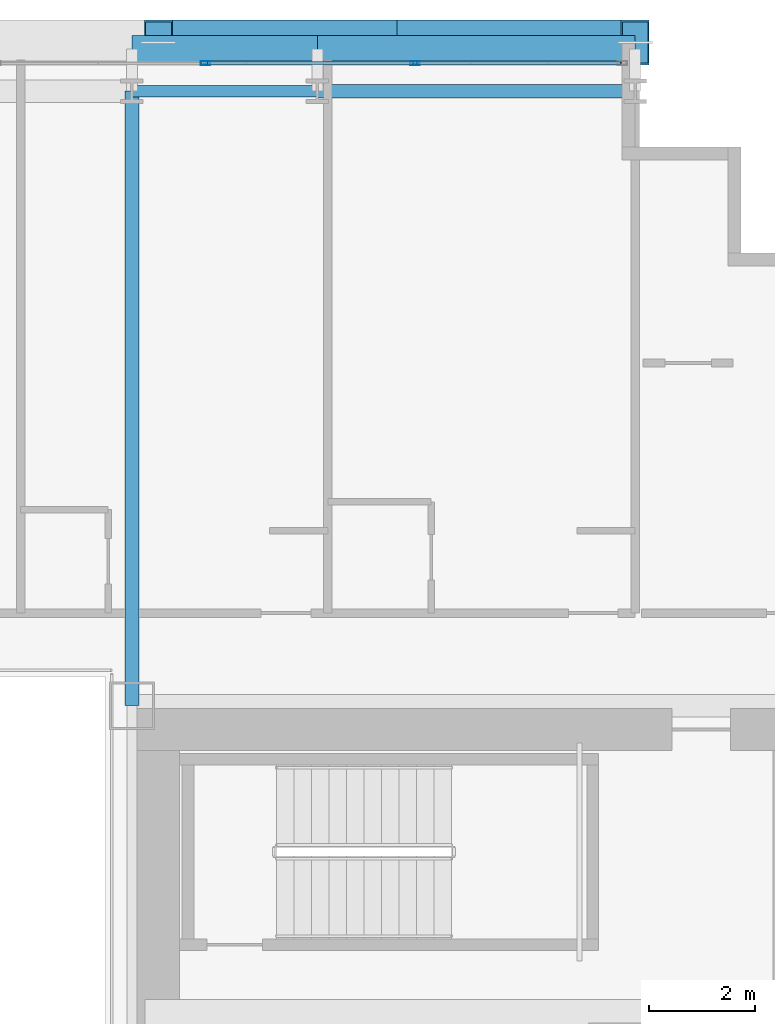
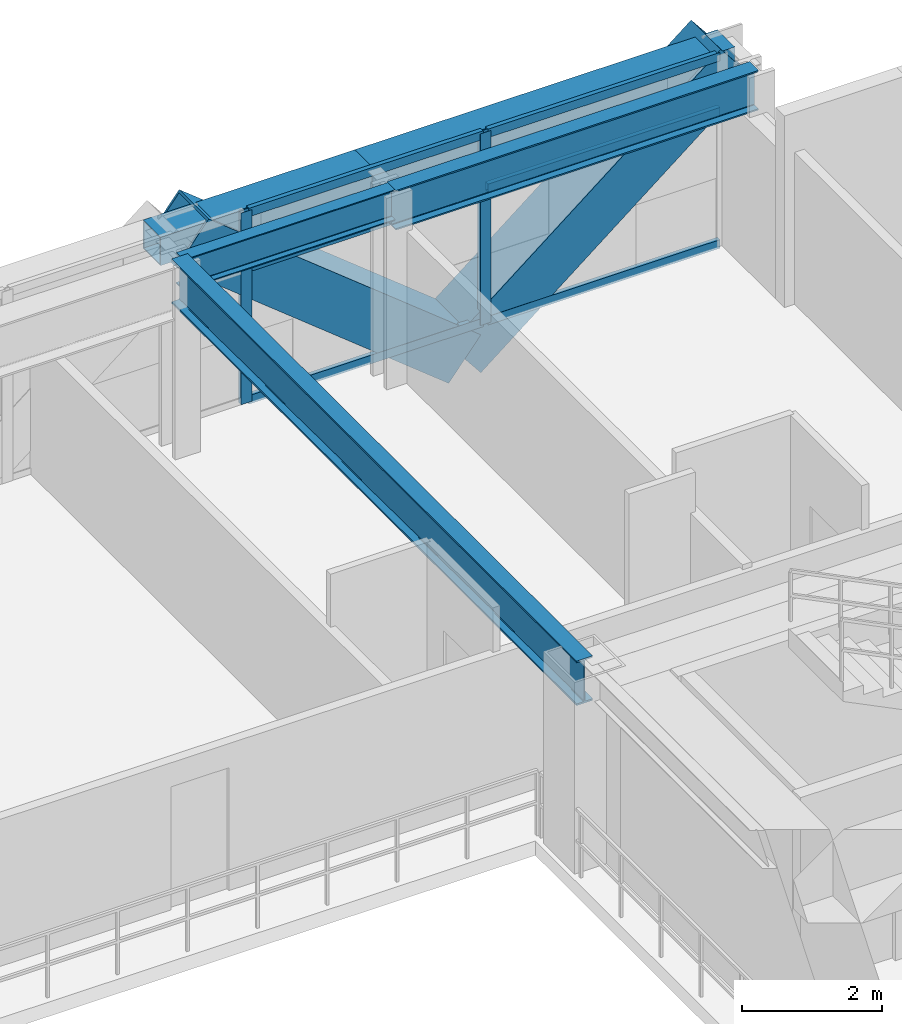
# One storey, part 21 of 38: 10 members, 5 beams, 1 element without a shape of its own.
"""IFC4 building model written with IfcOpenShell, lengths in metres."""

from ifc_helpers import new_model, si_unit, direction, frame, origin, origin_2d, place, context, subcontext, project, spatial, hollow_rectangle, i_section, extrude, source, transform, mapped, material, layer, layer_set, material_profile, profile_set, type_object, element, aggregate, save


model = new_model("IFC4")

# Units and contexts
model_context = context("Model", 3, precision=1e-05, world=origin(), true_north=direction((0.0, 1.0)))
body_context = subcontext(model_context, "Body", "Model", "MODEL_VIEW")
ifc_project = project(units=[si_unit("LENGTHUNIT", "METRE"), si_unit("AREAUNIT", "SQUARE_METRE"), si_unit("VOLUMEUNIT", "CUBIC_METRE"), si_unit("PLANEANGLEUNIT", "RADIAN"), si_unit("MASSUNIT", "GRAM", prefix="KILO")], contexts=[model_context])

# Site, building, storey
site_placement = place(None, origin())
site = spatial("IfcSite", under=ifc_project, at=site_placement, CompositionType="ELEMENT")
building_placement = place(site_placement, origin())
building = spatial("IfcBuilding", under=site, at=building_placement, Name="Ocotamira Hotel", CompositionType="ELEMENT")
storey_placement = place(building_placement, frame((0.0, 0.0, 45.60009765625)))
storey = spatial("IfcBuildingStorey", under=building, at=storey_placement, Name="L10", CompositionType="ELEMENT", Elevation=45.60009765625)

# Beams
ifc_material_1 = material(Name="Steel ASTM A992 Grade 50", Category="steel")
ifc_material_profile_1 = material_profile(ifc_material_1, i_section(OverallWidth=0.256103515625, OverallDepth=0.693115234375, WebThickness=0.014404296875, FlangeThickness=0.023681640625, FilletRadius=0.01611328125, at=origin_2d()), Name="W27X114")
ifc_profile_set_1 = profile_set([ifc_material_profile_1], Name="Steel ASTM A992 Grade 50")
beam_type_1 = type_object("IfcBeamType", Name="BM-PRIM-W27X114", PredefinedType="BEAM", material=ifc_profile_set_1)
shared_shape_1 = source(origin(), body_context, "Body", "SweptSolid", [
    extrude(i_section(OverallWidth=0.256103515625, OverallDepth=0.693115234375, WebThickness=0.014404296875, FlangeThickness=0.023681640625, FilletRadius=0.01611328125, at=origin_2d()), origin(), (0.0, 0.0, 1.0), 6.0),
])
beam_1_placement = place(storey_placement, frame((44.0, 49.050048828125, 3.00341796875), z_axis=(1.0, 0.0, 0.0), x_axis=(0.0, 1.0, 0.0)))
element("IfcBeam", 1, at=beam_1_placement, inside=storey, type_object=beam_type_1, Name="L10 Girder Y49.05 X44-50", PredefinedType="BEAM", context=body_context, shape_type="MappedRepresentation", body=[
    mapped(shared_shape_1, transform((0.0, 0.0, 0.0), scale=1.0)),
])
ifc_material_profile_2 = material_profile(ifc_material_1, i_section(OverallWidth=0.2099609375, OverallDepth=0.537109375, WebThickness=0.010986328125, FlangeThickness=0.017333984375, FilletRadius=0.012939453125, at=origin_2d()), Name="W21X68")
ifc_profile_set_2 = profile_set([ifc_material_profile_2], Name="Steel ASTM A992 Grade 50")
beam_type_2 = type_object("IfcBeamType", Name="BM-SEC-W21X68", PredefinedType="JOIST", material=ifc_profile_set_2)
shared_shape_2 = source(origin(), body_context, "Body", "SweptSolid", [
    extrude(i_section(OverallWidth=0.2099609375, OverallDepth=0.537109375, WebThickness=0.010986328125, FlangeThickness=0.017333984375, FilletRadius=0.012939453125, at=origin_2d()), origin(), (0.0, 0.0, 1.0), 3.5),
])
beam_2_placement = place(storey_placement, frame((40.5, 49.050048828125, 3.081298828125), z_axis=(1.0, 0.0, 0.0), x_axis=(0.0, 1.0, 0.0)))
element("IfcBeam", 2, at=beam_2_placement, inside=storey, type_object=beam_type_2, Name="L10 Girder Y49.05 X40.5-44", PredefinedType="JOIST", context=body_context, shape_type="MappedRepresentation", body=[
    mapped(shared_shape_2, transform((0.0, 0.0, 0.0), scale=1.0)),
])
ifc_material_profile_3 = material_profile(ifc_material_1, i_section(OverallWidth=0.26611328125, OverallDepth=0.779052734375, WebThickness=0.0166015625, FlangeThickness=0.030029296875, FilletRadius=0.01806640625, at=origin_2d()), Name="W30X148")
ifc_profile_set_3 = profile_set([ifc_material_profile_3], Name="Steel ASTM A992 Grade 50")
beam_type_3 = type_object("IfcBeamType", Name="BM-GIRD-W30X148", PredefinedType="BEAM", material=ifc_profile_set_3)
shared_shape_3 = source(origin(), body_context, "Body", "SweptSolid", [
    extrude(i_section(OverallWidth=0.26611328125, OverallDepth=0.779052734375, WebThickness=0.0166015625, FlangeThickness=0.030029296875, FilletRadius=0.01806640625, at=origin_2d()), origin(), (0.0, 0.0, 1.0), 11.60009765625),
])
beam_3_placement = place(storey_placement, frame((40.5, 37.449951171875, 2.96044921875), z_axis=(0.0, 1.0, 0.0), x_axis=(-1.0, 0.0, 0.0)))
element("IfcBeam", 3, at=beam_3_placement, inside=storey, type_object=beam_type_3, Name="L10 Beam X40.5 Y37.45-49.05", PredefinedType="BEAM", context=body_context, shape_type="MappedRepresentation", body=[
    mapped(shared_shape_3, transform((0.0, 0.0, 0.0), scale=1.0)),
])
ifc_material_2 = material(Name="Steel ASTM A500 Grade C", Category="steel")
ifc_material_profile_4 = material_profile(ifc_material_2, hollow_rectangle(XDim=0.5, YDim=0.5, WallThickness=0.02001953125, at=origin_2d()), Name="HSS500X500X20")
ifc_profile_set_4 = profile_set([ifc_material_profile_4], Name="Steel ASTM A500 Grade C")
beam_type_4 = type_object("IfcBeamType", Name="BM-SPAN-HSS500", PredefinedType="USERDEFINED", material=ifc_profile_set_4)
shared_shape_4 = source(origin(), body_context, "Body", "SweptSolid", [
    extrude(hollow_rectangle(XDim=0.5, YDim=0.5, WallThickness=0.02001953125, at=origin_2d()), origin(), (0.0, 0.0, 1.0), 6.0),
])
beam_4_placement = place(storey_placement, frame((44.0, 49.85009765625, 3.099853515625), z_axis=(1.0, 0.0, 0.0), x_axis=(0.0, 1.0, 0.0)))
element("IfcBeam", 4, at=beam_4_placement, inside=storey, type_object=beam_type_4, Name="L10 Edge Spandrel N X44-50", ObjectType="SPANDREL", PredefinedType="USERDEFINED", context=body_context, shape_type="MappedRepresentation", body=[
    mapped(shared_shape_4, transform((0.0, 0.0, 0.0), scale=1.0)),
])
shared_shape_5 = source(origin(), body_context, "Body", "SweptSolid", [
    extrude(hollow_rectangle(XDim=0.5, YDim=0.5, WallThickness=0.02001953125, at=origin_2d()), origin(), (0.0, 0.0, 1.0), 3.5),
])
beam_5_placement = place(storey_placement, frame((40.5, 49.85009765625, 3.099853515625), z_axis=(1.0, 0.0, 0.0), x_axis=(0.0, 1.0, 0.0)))
element("IfcBeam", 5, at=beam_5_placement, inside=storey, type_object=beam_type_4, Name="L10 Edge Spandrel N X40.5-44", ObjectType="SPANDREL", PredefinedType="USERDEFINED", context=body_context, shape_type="MappedRepresentation", body=[
    mapped(shared_shape_5, transform((0.0, 0.0, 0.0), scale=1.0)),
])

# Members
ifc_material_3 = material(Name="Pale-metal coated steel ASTM A913 Grade 65", Category="steel")
ifc_material_profile_5 = material_profile(ifc_material_3, hollow_rectangle(XDim=0.85009765625, YDim=0.85009765625, WallThickness=0.035888671875, at=origin_2d()), Name="BOX850X850X36")
ifc_profile_set_5 = profile_set([ifc_material_profile_5], Name="Pale-metal coated steel ASTM A913 Grade 65")
member_type_1 = type_object("IfcMemberType", Name="MEM-EXO-BOX850", PredefinedType="BRACE", material=ifc_profile_set_5)
shared_shape_6 = source(origin(), body_context, "Body", "SweptSolid", [
    extrude(hollow_rectangle(XDim=0.85009765625, YDim=0.85009765625, WallThickness=0.035888671875, at=origin_2d()), origin(), (0.0, 0.0, 1.0), 5.7626953125),
])
for number, where, z_axis, x_axis, name in (
    (6, (45.5, 49.969970703125, -0.5), (-0.780881208953, 0.0, 0.624679547852), (0.0, -1.0, 0.0), "L10 Exoskeleton Diagrid N3.1"),
    (7, (45.5, 49.969970703125, -0.5), (0.780881208953, 0.0, 0.624679547852), (0.0, 1.0, 0.0), "L10 Exoskeleton Diagrid N3.2"),
):
    element("IfcMember", number, at=place(storey_placement, frame(where, z_axis=z_axis, x_axis=x_axis)), inside=storey, type_object=member_type_1, Name=name, PredefinedType="BRACE", context=body_context, shape_type="MappedRepresentation", body=[
        mapped(shared_shape_6, transform((0.0, 0.0, 0.0), scale=1.0)),
    ])

# Curtain wall, members
ifc_material_4 = material(Name="Anodised pale-metal aluminium and solar glass", Category="aluminium")
ifc_layer = layer(ifc_material_4, 0.179931640625)
ifc_layer_set = layer_set([ifc_layer], Name="Anodised pale-metal aluminium and solar glass")
curtain_wall_type = type_object("IfcCurtainWallType", Name="CW-SYS2-Z1", PredefinedType="NOTDEFINED", material=ifc_layer_set)
curtain_wall_placement = place(storey_placement, origin())
curtain_wall = element("IfcCurtainWall", 8, at=curtain_wall_placement, inside=storey, type_object=curtain_wall_type, Name="L10 Curtain Wall CW-2 CW-L10-N", PredefinedType="NOTDEFINED")
ifc_material_5 = material(Name="Anodised pale-metal aluminium 6063-T6", Category="aluminium")
ifc_material_profile_6 = material_profile(ifc_material_5, hollow_rectangle(XDim=0.080078125, YDim=0.179931640625, WallThickness=0.006103515625, at=origin_2d()), Name="HSS180X80X6")
ifc_profile_set_6 = profile_set([ifc_material_profile_6], Name="Anodised pale-metal aluminium 6063-T6")
member_type_2 = type_object("IfcMemberType", Name="CWM-180X75", PredefinedType="MULLION", material=ifc_profile_set_6)
shared_shape_7 = source(origin(), body_context, "Body", "SweptSolid", [
    extrude(hollow_rectangle(XDim=0.080078125, YDim=0.179931640625, WallThickness=0.006103515625, at=origin_2d()), origin(), (0.0, 0.0, 1.0), 3.349853515625),
])
member_1_placement = place(storey_placement, frame((41.888916015625, 49.580078125, 0.0), z_axis=(0.0, 0.0, 1.0), x_axis=(0.0, 1.0, 0.0)))
member_1 = element("IfcMember", 9, at=member_1_placement, type_object=member_type_2, Name="CW-2 mullion 8", PredefinedType="MULLION", context=body_context, shape_type="MappedRepresentation", body=[
    mapped(shared_shape_7, transform((0.0, 0.0, 0.0), scale=1.0)),
])
member_2_placement = place(storey_placement, frame((45.844482421875, 49.580078125, 0.0), z_axis=(0.0, 0.0, 1.0), x_axis=(0.0, 1.0, 0.0)))
member_2 = element("IfcMember", 10, at=member_2_placement, type_object=member_type_2, Name="CW-2 mullion 9", PredefinedType="MULLION", context=body_context, shape_type="MappedRepresentation", body=[
    mapped(shared_shape_7, transform((0.0, 0.0, 0.0), scale=1.0)),
])
ifc_material_profile_7 = material_profile(ifc_material_5, hollow_rectangle(XDim=0.074951171875, YDim=0.14990234375, WallThickness=0.006103515625, at=origin_2d()), Name="HSS150X75X6")
ifc_profile_set_7 = profile_set([ifc_material_profile_7], Name="Anodised pale-metal aluminium 6063-T6")
member_type_3 = type_object("IfcMemberType", Name="CWT-150X75", PredefinedType="USERDEFINED", material=ifc_profile_set_7)
shared_shape_8 = source(origin(), body_context, "Body", "SweptSolid", [
    extrude(hollow_rectangle(XDim=0.074951171875, YDim=0.14990234375, WallThickness=0.006103515625, at=origin_2d()), origin(), (0.0, 0.0, 1.0), 3.83544921875),
])
member_3_placement = place(storey_placement, frame((45.884521484375, 49.580078125, 0.037353515625), z_axis=(1.0, 0.0, 0.0), x_axis=(0.0, 1.0, 0.0)))
member_3 = element("IfcMember", 11, at=member_3_placement, type_object=member_type_3, Name="CW-2 transom 9.1", ObjectType="TRANSOM", PredefinedType="USERDEFINED", context=body_context, shape_type="MappedRepresentation", body=[
    mapped(shared_shape_8, transform((0.0, 0.0, 0.0), scale=1.0)),
])
member_4_placement = place(storey_placement, frame((45.884521484375, 49.580078125, 2.349853515625), z_axis=(1.0, 0.0, 0.0), x_axis=(0.0, 1.0, 0.0)))
member_4 = element("IfcMember", 12, at=member_4_placement, type_object=member_type_3, Name="CW-2 transom 9.2", ObjectType="TRANSOM", PredefinedType="USERDEFINED", context=body_context, shape_type="MappedRepresentation", body=[
    mapped(shared_shape_8, transform((0.0, 0.0, 0.0), scale=1.0)),
])
member_5_placement = place(storey_placement, frame((45.884521484375, 49.580078125, 3.3125), z_axis=(1.0, 0.0, 0.0), x_axis=(0.0, 1.0, 0.0)))
member_5 = element("IfcMember", 13, at=member_5_placement, type_object=member_type_3, Name="CW-2 transom 9.3", ObjectType="TRANSOM", PredefinedType="USERDEFINED", context=body_context, shape_type="MappedRepresentation", body=[
    mapped(shared_shape_8, transform((0.0, 0.0, 0.0), scale=1.0)),
])
shared_shape_9 = source(origin(), body_context, "Body", "SweptSolid", [
    extrude(hollow_rectangle(XDim=0.074951171875, YDim=0.14990234375, WallThickness=0.006103515625, at=origin_2d()), origin(), (0.0, 0.0, 1.0), 3.87548828125),
])
member_6_placement = place(storey_placement, frame((41.928955078125, 49.580078125, 0.037353515625), z_axis=(1.0, 0.0, 0.0), x_axis=(0.0, 1.0, 0.0)))
member_6 = element("IfcMember", 14, at=member_6_placement, type_object=member_type_3, Name="CW-2 transom 8.1", ObjectType="TRANSOM", PredefinedType="USERDEFINED", context=body_context, shape_type="MappedRepresentation", body=[
    mapped(shared_shape_9, transform((0.0, 0.0, 0.0), scale=1.0)),
])
member_7_placement = place(storey_placement, frame((41.928955078125, 49.580078125, 2.349853515625), z_axis=(1.0, 0.0, 0.0), x_axis=(0.0, 1.0, 0.0)))
member_7 = element("IfcMember", 15, at=member_7_placement, type_object=member_type_3, Name="CW-2 transom 8.2", ObjectType="TRANSOM", PredefinedType="USERDEFINED", context=body_context, shape_type="MappedRepresentation", body=[
    mapped(shared_shape_9, transform((0.0, 0.0, 0.0), scale=1.0)),
])
member_8_placement = place(storey_placement, frame((41.928955078125, 49.580078125, 3.3125), z_axis=(1.0, 0.0, 0.0), x_axis=(0.0, 1.0, 0.0)))
member_8 = element("IfcMember", 16, at=member_8_placement, type_object=member_type_3, Name="CW-2 transom 8.3", ObjectType="TRANSOM", PredefinedType="USERDEFINED", context=body_context, shape_type="MappedRepresentation", body=[
    mapped(shared_shape_9, transform((0.0, 0.0, 0.0), scale=1.0)),
])
aggregate(curtain_wall, [member_1, member_2, member_6, member_7, member_8, member_3, member_4, member_5])

save(model, "model.ifc")
